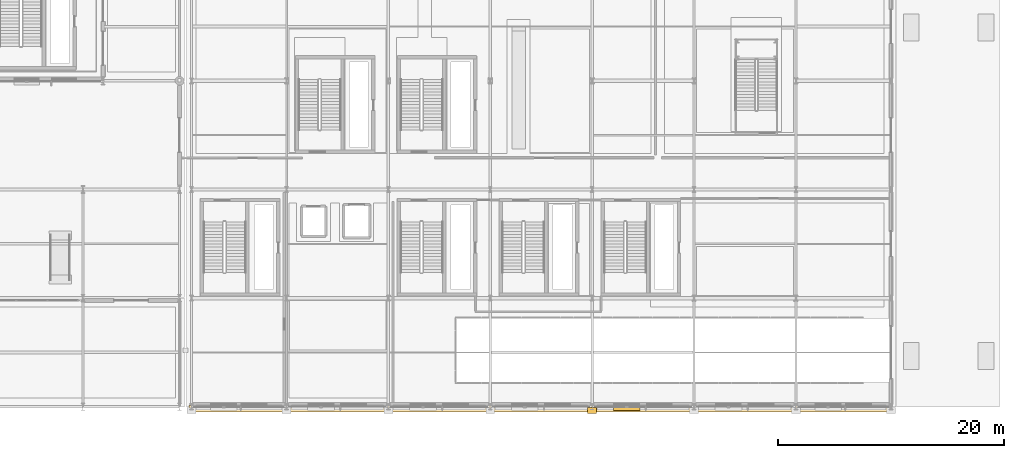
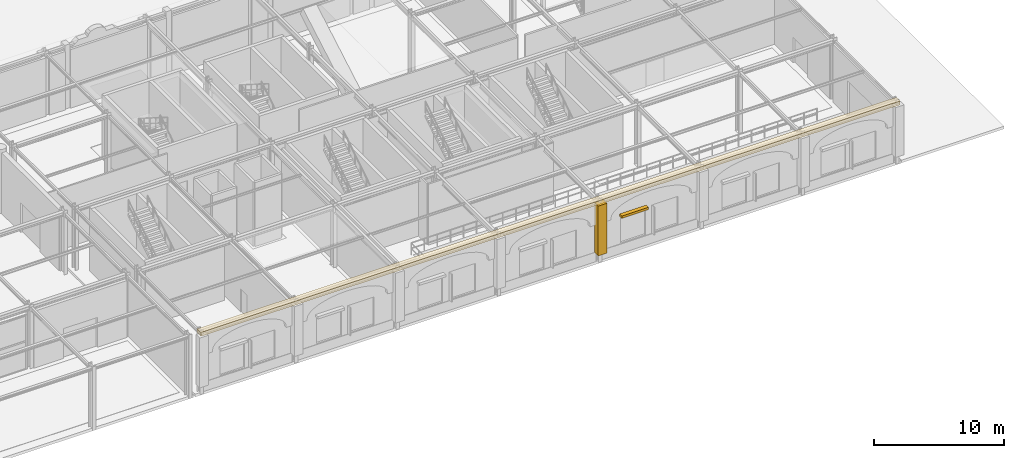
# One storey, part 98 of 113: 2 coverings, 1 shading device.
"""IFC4 building model written with IfcOpenShell, lengths in metres."""

from ifc_helpers import new_model, si_unit, direction, frame, origin, origin_2d, place, context, subcontext, project, spatial, rectangle, extrude, material, layer, layer_set, type_object, element, save


model = new_model("IFC4")

# Units and contexts
model_context = context("Model", 3, precision=1e-05, world=origin(), true_north=direction((0.0, 1.0)))
body_context = subcontext(model_context, "Body", "Model", "MODEL_VIEW")
ifc_project = project(units=[si_unit("LENGTHUNIT", "METRE"), si_unit("AREAUNIT", "SQUARE_METRE"), si_unit("VOLUMEUNIT", "CUBIC_METRE"), si_unit("PLANEANGLEUNIT", "RADIAN"), si_unit("MASSUNIT", "GRAM", prefix="KILO")], contexts=[model_context])

# Site, building, storey
site_placement = place(None, origin())
site = spatial("IfcSite", under=ifc_project, at=site_placement, CompositionType="ELEMENT")
building_placement = place(site_placement, origin())
building = spatial("IfcBuilding", under=site, at=building_placement, Name="Myrtia Square Station", CompositionType="ELEMENT")
storey_placement = place(building_placement, origin())
storey = spatial("IfcBuildingStorey", under=building, at=storey_placement, Name="L00", CompositionType="ELEMENT", Elevation=0.0)

# Coverings
ifc_material_1 = material(Name="Pentelic marble ashlar", Category="masonry")
ifc_layer_1 = layer(ifc_material_1, 0.4599609375, Name="Pentelic marble ashlar")
ifc_layer_set_1 = layer_set([ifc_layer_1], Name="Pentelic marble ashlar")
covering_type_1 = type_object("IfcCoveringType", Name="COV-ARCH-ASHLAR", PredefinedType="CLADDING", material=ifc_layer_set_1)
covering_1_placement = place(storey_placement, frame((153.0, -0.320068359375, 0.919921875), z_axis=(0.0, 0.0, 1.0), x_axis=(1.0, 0.0, 0.0)))
element("IfcCovering", 1, at=covering_1_placement, inside=storey, type_object=covering_type_1, Name="Classical Pentelic ashlar pilaster 035", PredefinedType="CLADDING", context=body_context, shape_type="SweptSolid", body=[
    extrude(rectangle(XDim=0.780029296875, YDim=0.56005859375, at=origin_2d()), origin(), (0.0, 0.0, 1.0), 4.679931640625),
])
ifc_layer_2 = layer(ifc_material_1, 0.47998046875, Name="Pentelic marble ashlar")
ifc_layer_set_2 = layer_set([ifc_layer_2], Name="Pentelic marble ashlar")
covering_type_2 = type_object("IfcCoveringType", Name="COV-CORNICE-ASHLAR", PredefinedType="MOLDING", material=ifc_layer_set_2)
covering_2_placement = place(storey_placement, frame((148.449951171875, -0.169921875, 5.6201171875), z_axis=(0.0, 0.0, 1.0), x_axis=(1.0, 0.0, 0.0)))
element("IfcCovering", 2, at=covering_2_placement, inside=storey, type_object=covering_type_2, Name="Classical entablature cornice moulding 002", PredefinedType="MOLDING", context=body_context, shape_type="SweptSolid", body=[
    extrude(rectangle(XDim=62.10009765625, YDim=0.580078125, at=origin_2d()), origin(), (0.0, 0.0, 1.0), 0.360107421875),
])

# Shading device
ifc_material_2 = material(Name="Dark bronze anodised aluminium", Category="aluminium")
shading_device_type = type_object("IfcShadingDeviceType", Name="SHD-JALOUSIE-BRONZE", PredefinedType="JALOUSIE", material=ifc_material_2)
shading_device_placement = place(storey_placement, frame((156.052001953125, -0.14990234375, 3.490234375), z_axis=(0.0, 0.0, 1.0), x_axis=(1.0, 0.0, 0.0)))
element("IfcShadingDevice", 3, at=shading_device_placement, inside=storey, type_object=shading_device_type, Name="Mediterranean bronze solar louvre SHL-009", PredefinedType="JALOUSIE", context=body_context, shape_type="SweptSolid", body=[
    extrude(rectangle(XDim=2.360107421875, YDim=0.35009765625, at=origin_2d()), origin(), (0.0, 0.0, 1.0), 0.219970703125),
])

save(model, "model.ifc")
